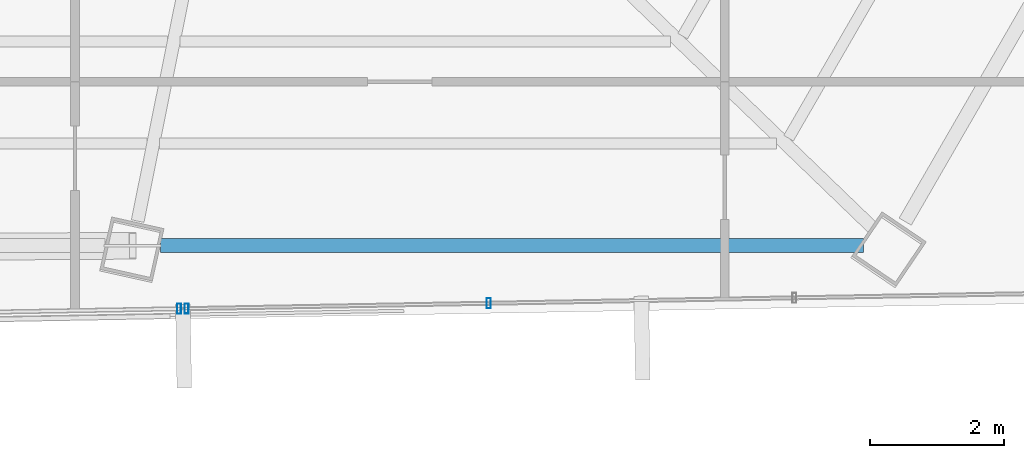
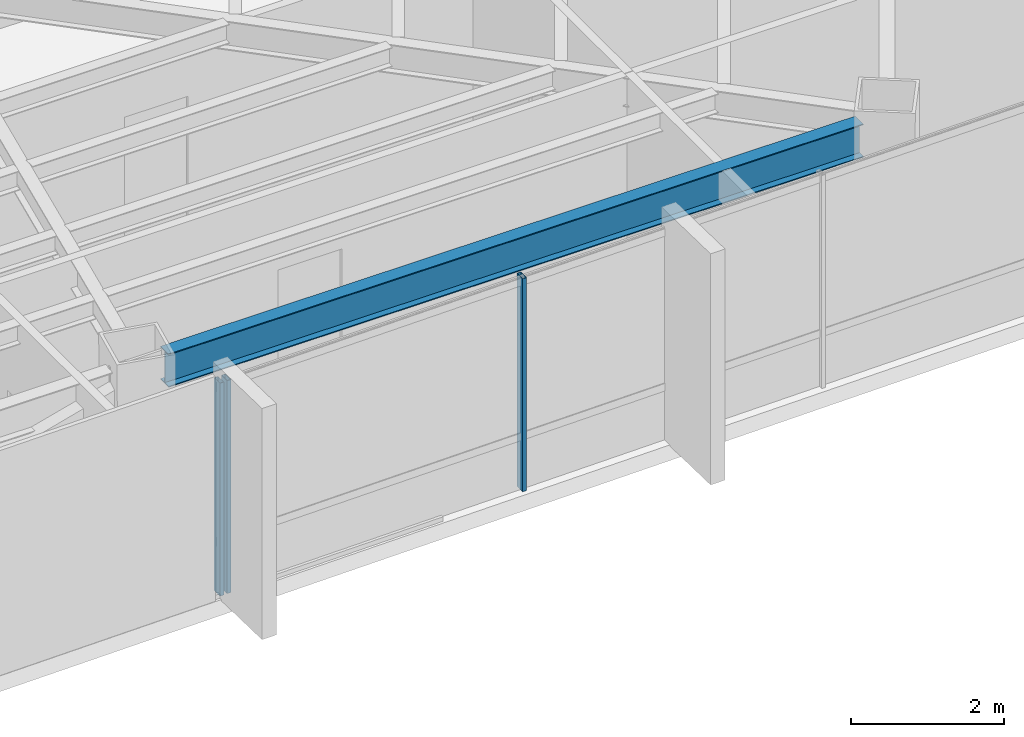
# One storey, part 18 of 44: 3 members, 1 beam, 2 elements without a shape of their own.
"""IFC4 building model written with IfcOpenShell, lengths in metres."""

from ifc_helpers import new_model, si_unit, direction, frame, origin, origin_2d, place, context, subcontext, project, spatial, hollow_rectangle, i_section, extrude, source, transform, mapped, material, material_profile, profile_set, type_object, type_shapes, element, aggregate, save


model = new_model("IFC4")

# Units and contexts
model_context = context("Model", 3, precision=1e-05, world=origin(), true_north=direction((0.0, 1.0)))
body_context = subcontext(model_context, "Body", "Model", "MODEL_VIEW")
ifc_project = project(units=[si_unit("LENGTHUNIT", "METRE"), si_unit("AREAUNIT", "SQUARE_METRE"), si_unit("VOLUMEUNIT", "CUBIC_METRE"), si_unit("PLANEANGLEUNIT", "RADIAN"), si_unit("MASSUNIT", "GRAM", prefix="KILO")], contexts=[model_context])

# Site, building, storey
site_placement = place(None, origin())
site = spatial("IfcSite", under=ifc_project, at=site_placement, CompositionType="ELEMENT")
building_placement = place(site_placement, origin())
building = spatial("IfcBuilding", under=site, at=building_placement, Name="Caelisora Broadcast Tower", CompositionType="ELEMENT")
storey_placement = place(building_placement, frame((0.0, 0.0, 198.64990234375)))
storey = spatial("IfcBuildingStorey", under=building, at=storey_placement, Name="L52", CompositionType="ELEMENT", Elevation=198.64990234375)

# Beam
ifc_material_1 = material(Name="Steel Grade 350 (AS/NZS 3679.1)", Category="steel")
ifc_material_profile_1 = material_profile(ifc_material_1, i_section(OverallWidth=0.208984375, OverallDepth=0.532958984375, WebThickness=0.01025390625, FlangeThickness=0.015625, at=origin_2d()), Name="Steel Grade 350 (AS/NZS 3679.1)")
ifc_profile_set_1 = profile_set([ifc_material_profile_1], Name="Steel Grade 350 (AS/NZS 3679.1)")
beam_type = type_object("IfcBeamType", Name="PG05", PredefinedType="BEAM", material=ifc_profile_set_1)
shared_shape_1 = source(origin(), body_context, "Body", "SweptSolid", [
    extrude(i_section(OverallWidth=0.208984375, OverallDepth=0.532958984375, WebThickness=0.01025390625, FlangeThickness=0.015625, at=origin_2d()), origin(), (0.0, 0.0, 1.0), 10.491455078125),
])
type_shapes(beam_type, [shared_shape_1])
beam_placement = place(storey_placement, frame((44.07763671875, 8.26025390625, 3.133544921875), z_axis=(1.0, 0.0, 0.0), x_axis=(0.0, 1.0, 0.0)))
element("IfcBeam", 1, at=beam_placement, inside=storey, type_object=beam_type, Name="L52 beam PG05", PredefinedType="BEAM", context=body_context, shape_type="MappedRepresentation", body=[
    mapped(shared_shape_1, transform((0.0, 0.0, 0.0), scale=1.0)),
])

# Curtain wall, members
ifc_material_2 = material(Name="Unitised Aluminium and Low-E Glass Curtain Wall", Category="glass")
curtain_wall_type_1 = type_object("IfcCurtainWallType", Name="CW-Z4", PredefinedType="NOTDEFINED", material=ifc_material_2)
curtain_wall_1_placement = place(storey_placement, origin())
curtain_wall_1 = element("IfcCurtainWall", 2, at=curtain_wall_1_placement, inside=storey, type_object=curtain_wall_type_1, Name="L52 curtain wall CW-Z4", PredefinedType="NOTDEFINED")
ifc_material_3 = material(Name="Aluminium 6063-T6 Anodised Terracotta Bronze", Category="aluminium")
ifc_material_profile_2 = material_profile(ifc_material_3, hollow_rectangle(XDim=0.06005859375, YDim=0.14990234375, WallThickness=0.00341796875, at=origin_2d()), Name="Aluminium 6063-T6 Anodised Terracotta Bronze")
ifc_profile_set_2 = profile_set([ifc_material_profile_2], Name="Aluminium 6063-T6 Anodised Terracotta Bronze")
member_type = type_object("IfcMemberType", Name="CWM-03", PredefinedType="MULLION", material=ifc_profile_set_2)
shared_shape_2 = source(origin(), body_context, "Body", "SweptSolid", [
    extrude(hollow_rectangle(XDim=0.06005859375, YDim=0.14990234375, WallThickness=0.00341796875, at=origin_2d()), origin(), (0.0, 0.0, 1.0), 3.400146484375),
])
type_shapes(member_type, [shared_shape_2])
member_1_placement = place(storey_placement, frame((48.9765625, 7.401611328125, 0.0), z_axis=(0.0, 0.0, 1.0), x_axis=(1.0, 0.0, 0.0)))
member_1 = element("IfcMember", 3, at=member_1_placement, type_object=member_type, Name="L52-CW-B05 mullion #2", PredefinedType="MULLION", context=body_context, shape_type="MappedRepresentation", body=[
    mapped(shared_shape_2, transform((0.0, 0.0, 0.0), scale=1.0)),
])
member_2_placement = place(storey_placement, frame((44.466064453125, 7.3212890625, 0.0), z_axis=(0.0, 0.0, 1.0), x_axis=(1.0, 0.0, 0.0)))
member_2 = element("IfcMember", 4, at=member_2_placement, type_object=member_type, Name="L52-CW-B05 mullion #3", PredefinedType="MULLION", context=body_context, shape_type="MappedRepresentation", body=[
    mapped(shared_shape_2, transform((0.0, 0.0, 0.0), scale=1.0)),
])
aggregate(curtain_wall_1, [member_1, member_2])

# Curtain wall, member
ifc_material_4 = material(Name="Unitised Aluminium Insulated Shadow-Box Spandrel Curtain Wall", Category="aluminium")
curtain_wall_type_2 = type_object("IfcCurtainWallType", Name="CW-SP2", PredefinedType="NOTDEFINED", material=ifc_material_4)
curtain_wall_2_placement = place(storey_placement, origin())
curtain_wall_2 = element("IfcCurtainWall", 5, at=curtain_wall_2_placement, inside=storey, type_object=curtain_wall_type_2, Name="L52 curtain wall CW-SP2", PredefinedType="NOTDEFINED")
member_3_placement = place(storey_placement, frame((44.35595703125, 7.3193359375, 0.0), z_axis=(0.0, 0.0, 1.0), x_axis=(1.0, 0.0, 0.0)))
member_3 = element("IfcMember", 6, at=member_3_placement, type_object=member_type, Name="L52-CW-B06 mullion #0", PredefinedType="MULLION", context=body_context, shape_type="MappedRepresentation", body=[
    mapped(shared_shape_2, transform((0.0, 0.0, 0.0), scale=1.0)),
])
aggregate(curtain_wall_2, [member_3])

save(model, "model.ifc")
